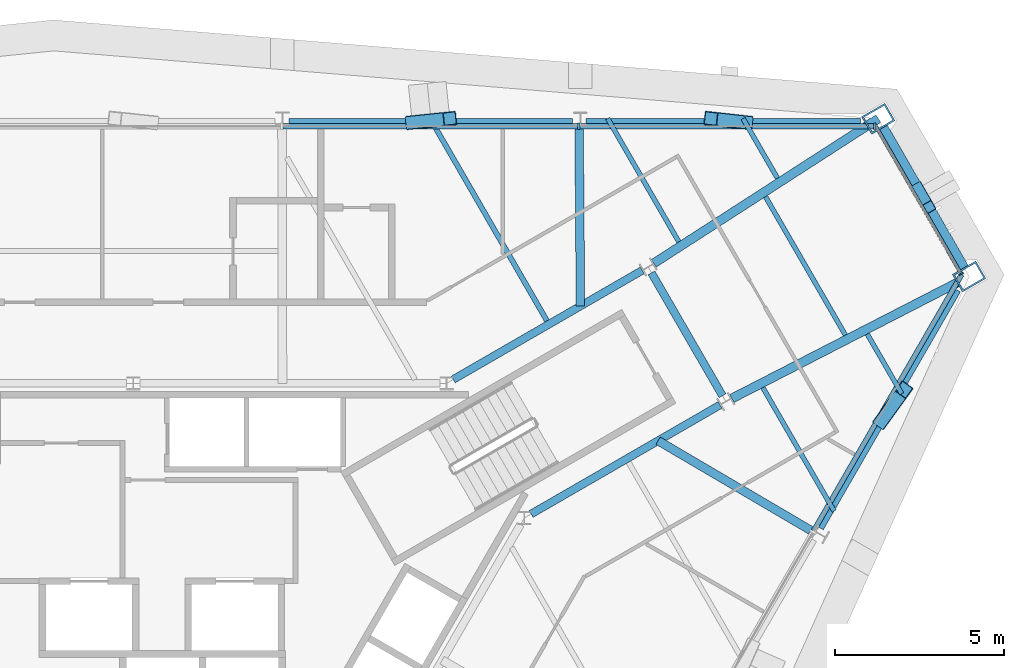
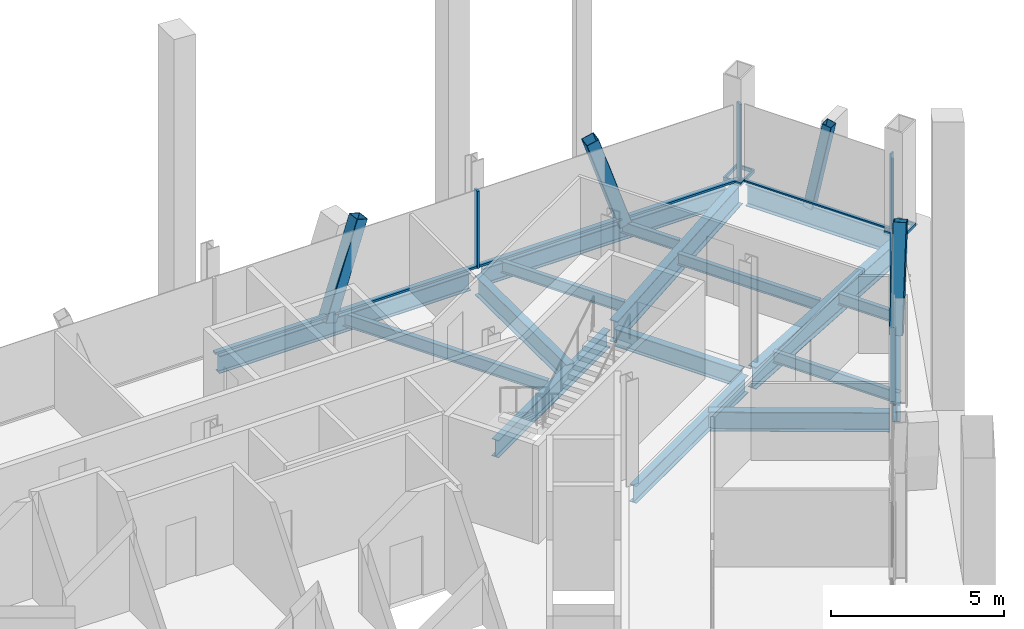
# One storey, part 7 of 14: 17 beams, 13 members, 3 elements without a shape of their own.
"""IFC4 building model written with IfcOpenShell, lengths in metres."""

from ifc_helpers import new_model, si_unit, direction, frame, origin, origin_2d, place, context, subcontext, project, spatial, rectangle, hollow_rectangle, i_section, extrude, material, material_profile, profile_set, type_object, element, aggregate, save


model = new_model("IFC4")

# Units and contexts
model_context = context("Model", 3, precision=1e-05, world=origin(), true_north=direction((0.0, 1.0)))
body_context = subcontext(model_context, "Body", "Model", "MODEL_VIEW")
ifc_project = project(units=[si_unit("LENGTHUNIT", "METRE"), si_unit("AREAUNIT", "SQUARE_METRE"), si_unit("VOLUMEUNIT", "CUBIC_METRE"), si_unit("PLANEANGLEUNIT", "RADIAN"), si_unit("MASSUNIT", "GRAM", prefix="KILO")], contexts=[model_context])

# Site, building, storey
site_placement = place(None, origin())
site = spatial("IfcSite", under=ifc_project, at=site_placement, CompositionType="ELEMENT")
building_placement = place(site_placement, origin())
building = spatial("IfcBuilding", under=site, at=building_placement, Name="Verrane Prism Tower", CompositionType="ELEMENT")
storey_placement = place(building_placement, frame((0.0, 0.0, 217.5)))
storey = spatial("IfcBuildingStorey", under=building, at=storey_placement, Name="L54", CompositionType="ELEMENT", Elevation=217.5)

# Member
ifc_material_1 = material(Name="Steel A500 Grade C", Category="steel")
ifc_material_profile_1 = material_profile(ifc_material_1, hollow_rectangle(XDim=0.3046875, YDim=0.3046875, WallThickness=0.0126953125, InnerFilletRadius=0.00634765625, OuterFilletRadius=0.01904296875, at=origin_2d()), Name="HSS12x12x1/2")
ifc_profile_set_1 = profile_set([ifc_material_profile_1], Name="Steel A500 Grade C")
member_type_1 = type_object("IfcMemberType", Name="Chamfer brace HSS12x12x1/2", PredefinedType="BRACE", material=ifc_profile_set_1)
member_1_placement = place(storey_placement, frame((23.213623046875, 13.775146484375, -0.24267578125), z_axis=(0.101664317764, -0.176489870854, 0.979038146335), x_axis=(0.866518541791, 0.499144885511, 0.0)))
element("IfcMember", 1, at=member_1_placement, inside=storey, type_object=member_type_1, Name="Chamfer brace NE0 L54", PredefinedType="BRACE", context=body_context, shape_type="SweptSolid", body=[
    extrude(hollow_rectangle(XDim=0.3046875, YDim=0.3046875, WallThickness=0.0126953125, InnerFilletRadius=0.00634765625, OuterFilletRadius=0.01904296875, at=origin_2d()), origin(), (0.0, 0.0, 1.0), 3.1748046875),
])

# Beams
ifc_material_2 = material(Name="Steel A992", Category="steel")
ifc_material_profile_2 = material_profile(ifc_material_2, i_section(OverallWidth=0.2666015625, OverallDepth=0.7568359375, WebThickness=0.013916015625, FlangeThickness=0.019287109375, FilletRadius=0.0166015625, at=origin_2d()), Name="W30x108")
ifc_profile_set_2 = profile_set([ifc_material_profile_2], Name="Steel A992")
beam_type_1 = type_object("IfcBeamType", Name="Chamfer spandrel beam W30x108", PredefinedType="SPANDREL", material=ifc_profile_set_2)
beam_1_placement = place(storey_placement, frame((24.5703125, 11.419921875, -0.53857421875), z_axis=(-0.499144251771, 0.866518906848, 0.0), x_axis=(-0.866518906848, -0.499144251771, 0.0)))
element("IfcBeam", 2, at=beam_1_placement, inside=storey, type_object=beam_type_1, Name="Chamfer spandrel beam L54", PredefinedType="SPANDREL", context=body_context, shape_type="SweptSolid", body=[
    extrude(i_section(OverallWidth=0.2666015625, OverallDepth=0.7568359375, WebThickness=0.013916015625, FlangeThickness=0.019287109375, FilletRadius=0.0166015625, at=origin_2d()), origin(), (0.0, 0.0, 1.0), 4.78955078125),
])
ifc_material_3 = material(Name="Steel A992", Category="steel")
ifc_material_profile_3 = material_profile(ifc_material_3, i_section(OverallWidth=0.23046875, OverallDepth=0.6171875, WebThickness=0.01318359375, FlangeThickness=0.022216796875, FilletRadius=0.012939453125, at=origin_2d()), Name="W24x94")
ifc_profile_set_3 = profile_set([ifc_material_profile_3], Name="Steel A992")
beam_type_2 = type_object("IfcBeamType", Name="Core ring girder W24x94", PredefinedType="BEAM", material=ifc_profile_set_3)
beam_2_placement = place(storey_placement, frame((11.759521484375, 4.135009765625, -0.55859375), z_axis=(0.866080992722, 0.499903704773, 0.0), x_axis=(-0.499903704773, 0.866080992722, 0.0)))
element("IfcBeam", 3, at=beam_2_placement, inside=storey, type_object=beam_type_2, Name="Core ring girder L54", PredefinedType="BEAM", context=body_context, shape_type="SweptSolid", body=[
    extrude(i_section(OverallWidth=0.23046875, OverallDepth=0.6171875, WebThickness=0.01318359375, FlangeThickness=0.022216796875, FilletRadius=0.012939453125, at=origin_2d()), origin(), (0.0, 0.0, 1.0), 6.451904296875),
])
beam_3_placement = place(storey_placement, frame((17.419677734375, 7.6337890625, -0.55859375), z_axis=(-0.500375511519, 0.865808493532, 0.0), x_axis=(-0.865808493532, -0.500375511519, 0.0)))
element("IfcBeam", 4, at=beam_3_placement, inside=storey, type_object=beam_type_2, Name="Core ring girder L54", PredefinedType="BEAM", context=body_context, shape_type="SweptSolid", body=[
    extrude(i_section(OverallWidth=0.23046875, OverallDepth=0.6171875, WebThickness=0.01318359375, FlangeThickness=0.022216796875, FilletRadius=0.012939453125, at=origin_2d()), origin(), (0.0, 0.0, 1.0), 4.195556640625),
])
beam_4_placement = place(storey_placement, frame((15.04736328125, 11.34033203125, -0.55859375), z_axis=(-0.866080992722, -0.499903704773, 0.0), x_axis=(0.499903704773, -0.866080992722, 0.0)))
element("IfcBeam", 5, at=beam_4_placement, inside=storey, type_object=beam_type_2, Name="Core ring girder L54", PredefinedType="BEAM", context=body_context, shape_type="SweptSolid", body=[
    extrude(i_section(OverallWidth=0.23046875, OverallDepth=0.6171875, WebThickness=0.01318359375, FlangeThickness=0.022216796875, FilletRadius=0.012939453125, at=origin_2d()), origin(), (0.0, 0.0, 1.0), 6.451904296875),
])
ifc_material_4 = material(Name="Steel A992", Category="steel")
ifc_material_profile_4 = material_profile(ifc_material_4, i_section(OverallWidth=0.2666015625, OverallDepth=0.76708984375, WebThickness=0.014892578125, FlangeThickness=0.023681640625, FilletRadius=0.0166015625, at=origin_2d()), Name="W30x124")
ifc_profile_set_4 = profile_set([ifc_material_profile_4], Name="Steel A992")
beam_type_3 = type_object("IfcBeamType", Name="Corner girder W30x124", PredefinedType="BEAM", material=ifc_profile_set_4)
beam_5_placement = place(storey_placement, frame((24.36376953125, 10.97705078125, -0.603515625), z_axis=(-0.889427813273, -0.457075666576, 0.0), x_axis=(0.457075666576, -0.889427813273, 0.0)))
element("IfcBeam", 6, at=beam_5_placement, inside=storey, type_object=beam_type_3, Name="Corner girder L54", PredefinedType="BEAM", context=body_context, shape_type="SweptSolid", body=[
    extrude(i_section(OverallWidth=0.2666015625, OverallDepth=0.76708984375, WebThickness=0.014892578125, FlangeThickness=0.023681640625, FilletRadius=0.0166015625, at=origin_2d()), origin(), (0.0, 0.0, 1.0), 7.4951171875),
])
beam_6_placement = place(storey_placement, frame((22.02880859375, 15.8291015625, -0.603515625), z_axis=(-0.840503183153, -0.541806606742, 0.0), x_axis=(0.541806606742, -0.840503183153, 0.0)))
element("IfcBeam", 7, at=beam_6_placement, inside=storey, type_object=beam_type_3, Name="Corner girder L54", PredefinedType="BEAM", context=body_context, shape_type="SweptSolid", body=[
    extrude(i_section(OverallWidth=0.2666015625, OverallDepth=0.76708984375, WebThickness=0.014892578125, FlangeThickness=0.023681640625, FilletRadius=0.0166015625, at=origin_2d()), origin(), (0.0, 0.0, 1.0), 7.9013671875),
])

# Members
ifc_material_5 = material(Name="Steel A500 Grade C", Category="steel")
ifc_material_profile_5 = material_profile(ifc_material_5, hollow_rectangle(XDim=0.406494140625, YDim=0.406494140625, WallThickness=0.01904296875, InnerFilletRadius=0.009521484375, OuterFilletRadius=0.028564453125, at=origin_2d()), Name="HSS16x16x3/4")
ifc_profile_set_5 = profile_set([ifc_material_profile_5], Name="Steel A500 Grade C")
member_type_2 = type_object("IfcMemberType", Name="Facade brace HSS16x16x3/4", PredefinedType="BRACE", material=ifc_profile_set_5)
member_2_placement = place(storey_placement, frame((18.1162109375, 15.714599609375, -0.216796875), z_axis=(-0.308844673796, 0.034340275201, 0.950492352924), x_axis=(-0.110508453714, -0.993875184144, 0.0)))
element("IfcMember", 8, at=member_2_placement, inside=storey, type_object=member_type_2, Name="Facade brace N0 L54", PredefinedType="BRACE", context=body_context, shape_type="SweptSolid", body=[
    extrude(hollow_rectangle(XDim=0.406494140625, YDim=0.406494140625, WallThickness=0.01904296875, InnerFilletRadius=0.009521484375, OuterFilletRadius=0.028564453125, at=origin_2d()), origin(), (0.0, 0.0, 1.0), 3.36279296875),
])
member_3_placement = place(storey_placement, frame((8.2470703125, 15.714599609375, -0.216796875), z_axis=(0.32776717298, 0.034110863107, 0.944142536556), x_axis=(-0.103511368966, 0.994628270509, 0.0)))
element("IfcMember", 9, at=member_3_placement, inside=storey, type_object=member_type_2, Name="Facade brace N1 L54", PredefinedType="BRACE", context=body_context, shape_type="SweptSolid", body=[
    extrude(hollow_rectangle(XDim=0.406494140625, YDim=0.406494140625, WallThickness=0.01904296875, InnerFilletRadius=0.009521484375, OuterFilletRadius=0.028564453125, at=origin_2d()), origin(), (0.0, 0.0, 1.0), 3.385498046875),
])
member_4_placement = place(storey_placement, frame((22.124267578125, 6.890380859375, -0.216796875), z_axis=(0.19616850843, 0.271872569644, 0.94212696712), x_axis=(-0.810939512146, 0.585129992088, 0.0)))
element("IfcMember", 10, at=member_4_placement, inside=storey, type_object=member_type_2, Name="Facade brace SE4 L54", PredefinedType="BRACE", context=body_context, shape_type="SweptSolid", body=[
    extrude(hollow_rectangle(XDim=0.406494140625, YDim=0.406494140625, WallThickness=0.01904296875, InnerFilletRadius=0.009521484375, OuterFilletRadius=0.028564453125, at=origin_2d()), origin(), (0.0, 0.0, 1.0), 3.392578125),
])

# Beams
ifc_material_6 = material(Name="Steel A992", Category="steel")
ifc_material_profile_6 = material_profile(ifc_material_6, i_section(OverallWidth=0.140380859375, OverallDepth=0.40380859375, WebThickness=0.007080078125, FlangeThickness=0.01123046875, FilletRadius=0.01025390625, at=origin_2d()), Name="W16x31")
ifc_profile_set_6 = profile_set([ifc_material_profile_6], Name="Steel A992")
beam_type_4 = type_object("IfcBeamType", Name="Floor beam W16x31", PredefinedType="BEAM", material=ifc_profile_set_6)
beam_7_placement = place(storey_placement, frame((19.0458984375, 14.065185546875, -0.36181640625), z_axis=(-0.499940238163, 0.866059904548, 0.0), x_axis=(-0.866059904548, -0.499940238163, 0.0)))
element("IfcBeam", 11, at=beam_7_placement, inside=storey, type_object=beam_type_4, Name="Floor beam L54", PredefinedType="BEAM", context=body_context, shape_type="SweptSolid", body=[
    extrude(i_section(OverallWidth=0.140380859375, OverallDepth=0.40380859375, WebThickness=0.007080078125, FlangeThickness=0.01123046875, FilletRadius=0.01025390625, at=origin_2d()), origin(), (0.0, 0.0, 1.0), 2.037841796875),
])
beam_8_placement = place(storey_placement, frame((16.12890625, 12.184814453125, -0.36181640625), z_axis=(-0.499981865284, 0.866035873614, 0.0), x_axis=(-0.866035873614, -0.499981865284, 0.0)))
element("IfcBeam", 12, at=beam_8_placement, inside=storey, type_object=beam_type_4, Name="Floor beam L54", PredefinedType="BEAM", context=body_context, shape_type="SweptSolid", body=[
    extrude(i_section(OverallWidth=0.140380859375, OverallDepth=0.40380859375, WebThickness=0.007080078125, FlangeThickness=0.01123046875, FilletRadius=0.01025390625, at=origin_2d()), origin(), (0.0, 0.0, 1.0), 4.209228515625),
])
beam_9_placement = place(storey_placement, frame((22.72021484375, 7.692138671875, -0.36181640625), z_axis=(-0.500040236659, 0.866002171892, 0.0), x_axis=(-0.866002171892, -0.500040236659, 0.0)))
element("IfcBeam", 13, at=beam_9_placement, inside=storey, type_object=beam_type_4, Name="Floor beam L54", PredefinedType="BEAM", context=body_context, shape_type="SweptSolid", body=[
    extrude(i_section(OverallWidth=0.140380859375, OverallDepth=0.40380859375, WebThickness=0.007080078125, FlangeThickness=0.01123046875, FilletRadius=0.01025390625, at=origin_2d()), origin(), (0.0, 0.0, 1.0), 2.039306640625),
])
beam_10_placement = place(storey_placement, frame((20.720458984375, 4.224365234375, -0.36181640625), z_axis=(-0.500010096862, 0.86601957428, 0.0), x_axis=(-0.86601957428, -0.500010096862, 0.0)))
element("IfcBeam", 14, at=beam_10_placement, inside=storey, type_object=beam_type_4, Name="Floor beam L54", PredefinedType="BEAM", context=body_context, shape_type="SweptSolid", body=[
    extrude(i_section(OverallWidth=0.140380859375, OverallDepth=0.40380859375, WebThickness=0.007080078125, FlangeThickness=0.01123046875, FilletRadius=0.01025390625, at=origin_2d()), origin(), (0.0, 0.0, 1.0), 4.21240234375),
])
beam_11_placement = place(storey_placement, frame((21.0546875, 9.426513671875, -0.36181640625), z_axis=(-0.499972881236, 0.866041060244, 0.0), x_axis=(-0.866041060244, -0.499972881236, 0.0)))
element("IfcBeam", 15, at=beam_11_placement, inside=storey, type_object=beam_type_4, Name="Floor beam L54", PredefinedType="BEAM", context=body_context, shape_type="SweptSolid", body=[
    extrude(i_section(OverallWidth=0.140380859375, OverallDepth=0.40380859375, WebThickness=0.007080078125, FlangeThickness=0.01123046875, FilletRadius=0.01025390625, at=origin_2d()), origin(), (0.0, 0.0, 1.0), 4.725830078125),
])
ifc_material_7 = material(Name="Steel A992", Category="steel")
ifc_material_profile_7 = material_profile(ifc_material_7, i_section(OverallWidth=0.15234375, OverallDepth=0.449462890625, WebThickness=0.007568359375, FlangeThickness=0.0107421875, FilletRadius=0.01025390625, at=origin_2d()), Name="W18x35")
ifc_profile_set_7 = profile_set([ifc_material_profile_7], Name="Steel A992")
beam_type_5 = type_object("IfcBeamType", Name="Floor beam W18x35", PredefinedType="BEAM", material=ifc_profile_set_7)
beam_12_placement = place(storey_placement, frame((12.22900390625, 9.849853515625, -0.384765625), z_axis=(-0.499994833418, 0.866028386691, 0.0), x_axis=(-0.866028386691, -0.499994833418, 0.0)))
element("IfcBeam", 16, at=beam_12_placement, inside=storey, type_object=beam_type_5, Name="Floor beam L54", PredefinedType="BEAM", context=body_context, shape_type="SweptSolid", body=[
    extrude(i_section(OverallWidth=0.15234375, OverallDepth=0.449462890625, WebThickness=0.007568359375, FlangeThickness=0.0107421875, FilletRadius=0.01025390625, at=origin_2d()), origin(), (0.0, 0.0, 1.0), 6.9052734375),
])

# Members
ifc_material_8 = material(Name="Steel A572 Grade 50", Category="steel")
ifc_material_profile_8 = material_profile(ifc_material_8, hollow_rectangle(XDim=0.60009765625, YDim=0.800048828125, WallThickness=0.050048828125, at=origin_2d()), Name="BOX 800x600x50")
ifc_profile_set_8 = profile_set([ifc_material_profile_8], Name="Steel A572 Grade 50")
member_type_3 = type_object("IfcMemberType", Name="Kink node BOX 800x600x50", PredefinedType="COLLAR", material=ifc_profile_set_8)
for number, where, z_axis, x_axis, name in (
    (17, (24.712890625, 11.159912109375, -0.06494140625), (0.0, 0.0, 1.0), (0.5, -0.866025403784, 0.0), "Kink node MC4 L54"),
    (18, (22.0263671875, 15.823974609375, -0.06494140625), (0.0, 0.0, 1.0), (0.5, -0.866025403784, 0.0), "Kink node MC4 L54"),
):
    element("IfcMember", number, at=place(storey_placement, frame(where, z_axis=z_axis, x_axis=x_axis)), inside=storey, type_object=member_type_3, Name=name, PredefinedType="COLLAR", context=body_context, shape_type="SweptSolid", body=[
        extrude(hollow_rectangle(XDim=0.60009765625, YDim=0.800048828125, WallThickness=0.050048828125, at=origin_2d()), origin(), (0.0, 0.0, 1.0), 0.1298828125),
    ])

# Curtain wall, member
ifc_material_9 = material(Name="Aluminium framed insulated glazing", Category="aluminium")
curtain_wall_type_1 = type_object("IfcCurtainWallType", Name="Curtain wall CW-C 4200 module", PredefinedType="NOTDEFINED", material=ifc_material_9)
curtain_wall_1_placement = place(storey_placement, origin())
curtain_wall_1 = element("IfcCurtainWall", 19, at=curtain_wall_1_placement, inside=storey, type_object=curtain_wall_type_1, Name="Glazed curtain wall north-east corner L54", PredefinedType="NOTDEFINED")
ifc_material_10 = material(Name="Aluminium alloy 6063-T6", Category="aluminium")
ifc_material_profile_9 = material_profile(ifc_material_10, rectangle(XDim=0.139892578125, YDim=0.050048828125, at=origin_2d()), Name="Mullion 50x140 aluminium")
ifc_profile_set_9 = profile_set([ifc_material_profile_9], Name="Aluminium alloy 6063-T6")
member_type_4 = type_object("IfcMemberType", Name="Mullion 50x140 aluminium", PredefinedType="MULLION", material=ifc_profile_set_9)
member_5_placement = place(storey_placement, frame((24.476806640625, 11.234619140625, 0.0), z_axis=(0.0, 0.0, 1.0), x_axis=(-0.866028188915, -0.499995175981, 0.0)))
member_5 = element("IfcMember", 20, at=member_5_placement, type_object=member_type_4, Name="CW54.1 mullion 1", PredefinedType="MULLION", context=body_context, shape_type="SweptSolid", body=[
    extrude(rectangle(XDim=0.139892578125, YDim=0.050048828125, at=origin_2d()), origin(), (0.0, 0.0, 1.0), 2.712890625),
])

# Curtain wall, members
ifc_material_11 = material(Name="Aluminium framed insulated glazing", Category="aluminium")
curtain_wall_type_2 = type_object("IfcCurtainWallType", Name="Curtain wall CW-A 8400 module", PredefinedType="NOTDEFINED", material=ifc_material_11)
curtain_wall_2_placement = place(storey_placement, origin())
curtain_wall_2 = element("IfcCurtainWall", 21, at=curtain_wall_2_placement, inside=storey, type_object=curtain_wall_type_2, Name="Glazed curtain wall north face L54", PredefinedType="NOTDEFINED")
ifc_material_12 = material(Name="Aluminium alloy 6063-T6", Category="aluminium")
ifc_material_profile_10 = material_profile(ifc_material_12, rectangle(XDim=0.199951171875, YDim=0.070068359375, at=origin_2d()), Name="Mullion 70x200 aluminium")
ifc_profile_set_10 = profile_set([ifc_material_profile_10], Name="Aluminium alloy 6063-T6")
member_type_5 = type_object("IfcMemberType", Name="Mullion 70x200 aluminium", PredefinedType="MULLION", material=ifc_profile_set_10)
member_6_placement = place(storey_placement, frame((21.92041015625, 15.601806640625, 0.0), z_axis=(0.0, 0.0, 1.0), x_axis=(0.0, -1.0, 0.0)))
member_6 = element("IfcMember", 22, at=member_6_placement, type_object=member_type_5, Name="CW54.2 mullion 1", PredefinedType="MULLION", context=body_context, shape_type="SweptSolid", body=[
    extrude(rectangle(XDim=0.199951171875, YDim=0.070068359375, at=origin_2d()), origin(), (0.0, 0.0, 1.0), 2.712890625),
])
member_7_placement = place(storey_placement, frame((13.173095703125, 15.601806640625, 0.0), z_axis=(0.0, 0.0, 1.0), x_axis=(0.0, -1.0, 0.0)))
member_7 = element("IfcMember", 23, at=member_7_placement, type_object=member_type_5, Name="CW54.2 mullion 2", PredefinedType="MULLION", context=body_context, shape_type="SweptSolid", body=[
    extrude(rectangle(XDim=0.199951171875, YDim=0.070068359375, at=origin_2d()), origin(), (0.0, 0.0, 1.0), 2.712890625),
])

# Beams
ifc_material_13 = material(Name="Steel A992", Category="steel")
ifc_material_profile_11 = material_profile(ifc_material_13, i_section(OverallWidth=0.25390625, OverallDepth=0.683349609375, WebThickness=0.012451171875, FlangeThickness=0.01904296875, FilletRadius=0.01513671875, at=origin_2d()), Name="W27x94")
ifc_profile_set_11 = profile_set([ifc_material_profile_11], Name="Steel A992")
beam_type_6 = type_object("IfcBeamType", Name="Radial girder W27x94", PredefinedType="BEAM", material=ifc_profile_set_11)
beam_13_placement = place(storey_placement, frame((13.180419921875, 15.51513671875, -0.5615234375), z_axis=(0.007562808919, -0.999971401552, 0.0), x_axis=(0.999971401552, 0.007562808919, 0.0)))
element("IfcBeam", 24, at=beam_13_placement, inside=storey, type_object=beam_type_6, Name="Radial girder L54", PredefinedType="BEAM", context=body_context, shape_type="SweptSolid", body=[
    extrude(i_section(OverallWidth=0.25390625, OverallDepth=0.683349609375, WebThickness=0.012451171875, FlangeThickness=0.01904296875, FilletRadius=0.01513671875, at=origin_2d()), origin(), (0.0, 0.0, 1.0), 5.229736328125),
])
beam_14_placement = place(storey_placement, frame((20.027587890625, 3.654052734375, -0.5615234375), z_axis=(-0.862301062131, 0.506395969817, 0.0), x_axis=(-0.506395969817, -0.862301062131, 0.0)))
element("IfcBeam", 25, at=beam_14_placement, inside=storey, type_object=beam_type_6, Name="Radial girder L54", PredefinedType="BEAM", context=body_context, shape_type="SweptSolid", body=[
    extrude(i_section(OverallWidth=0.25390625, OverallDepth=0.683349609375, WebThickness=0.012451171875, FlangeThickness=0.01904296875, FilletRadius=0.01513671875, at=origin_2d()), origin(), (0.0, 0.0, 1.0), 5.23193359375),
])
ifc_material_14 = material(Name="Steel A992", Category="steel")
ifc_material_profile_12 = material_profile(ifc_material_14, i_section(OverallWidth=0.23046875, OverallDepth=0.6171875, WebThickness=0.01318359375, FlangeThickness=0.022216796875, FilletRadius=0.012939453125, at=origin_2d()), Name="W24x94")
ifc_profile_set_12 = profile_set([ifc_material_profile_12], Name="Steel A992")
beam_type_7 = type_object("IfcBeamType", Name="Spandrel beam W24x94", PredefinedType="SPANDREL", material=ifc_profile_set_12)
beam_15_placement = place(storey_placement, frame((21.50048828125, 15.714599609375, -0.468505859375), z_axis=(-1.0, 0.0, 0.0), x_axis=(0.0, -1.0, 0.0)))
element("IfcBeam", 26, at=beam_15_placement, inside=storey, type_object=beam_type_7, Name="Spandrel beam L54", PredefinedType="SPANDREL", context=body_context, shape_type="SweptSolid", body=[
    extrude(i_section(OverallWidth=0.23046875, OverallDepth=0.6171875, WebThickness=0.01318359375, FlangeThickness=0.022216796875, FilletRadius=0.012939453125, at=origin_2d()), origin(), (0.0, 0.0, 1.0), 8.12109375),
])
beam_16_placement = place(storey_placement, frame((12.97802734375, 15.714599609375, -0.468505859375), z_axis=(-1.0, 0.0, 0.0), x_axis=(0.0, -1.0, 0.0)))
element("IfcBeam", 27, at=beam_16_placement, inside=storey, type_object=beam_type_7, Name="Spandrel beam L54", PredefinedType="SPANDREL", context=body_context, shape_type="SweptSolid", body=[
    extrude(i_section(OverallWidth=0.23046875, OverallDepth=0.6171875, WebThickness=0.01318359375, FlangeThickness=0.022216796875, FilletRadius=0.012939453125, at=origin_2d()), origin(), (0.0, 0.0, 1.0), 8.38232421875),
])
beam_17_placement = place(storey_placement, frame((20.2998046875, 3.726806640625, -0.468505859375), z_axis=(0.499577529321, 0.866269179988, 0.0), x_axis=(-0.866269179988, 0.499577529321, 0.0)))
element("IfcBeam", 28, at=beam_17_placement, inside=storey, type_object=beam_type_7, Name="Spandrel beam L54", PredefinedType="SPANDREL", context=body_context, shape_type="SweptSolid", body=[
    extrude(i_section(OverallWidth=0.23046875, OverallDepth=0.6171875, WebThickness=0.01318359375, FlangeThickness=0.022216796875, FilletRadius=0.012939453125, at=origin_2d()), origin(), (0.0, 0.0, 1.0), 8.11865234375),
])

# Member
ifc_material_15 = material(Name="Aluminium alloy 6063-T6", Category="aluminium")
ifc_material_profile_13 = material_profile(ifc_material_15, rectangle(XDim=0.10009765625, YDim=0.050048828125, at=origin_2d()), Name="Transom 50x100 aluminium")
ifc_profile_set_13 = profile_set([ifc_material_profile_13], Name="Aluminium alloy 6063-T6")
member_type_6 = type_object("IfcMemberType", Name="Transom 50x100 aluminium", PredefinedType="USERDEFINED", material=ifc_profile_set_13)
member_8_placement = place(storey_placement, frame((24.464111328125, 11.256103515625, 0.02490234375), z_axis=(-0.499969537666, 0.866042990507, 0.0), x_axis=(-0.866042990507, -0.499969537666, 0.0)))
member_8 = element("IfcMember", 29, at=member_8_placement, type_object=member_type_6, Name="CW54.1 transom 1", ObjectType="TRANSOM", PredefinedType="USERDEFINED", context=body_context, shape_type="SweptSolid", body=[
    extrude(rectangle(XDim=0.10009765625, YDim=0.050048828125, at=origin_2d()), origin(), (0.0, 0.0, 1.0), 5.017822265625),
])

aggregate(curtain_wall_1, [member_5, member_8])

ifc_material_16 = material(Name="Aluminium alloy 6063-T6", Category="aluminium")
ifc_material_profile_14 = material_profile(ifc_material_16, rectangle(XDim=0.14990234375, YDim=0.070068359375, at=origin_2d()), Name="Transom 70x150 aluminium")
ifc_profile_set_14 = profile_set([ifc_material_profile_14], Name="Aluminium alloy 6063-T6")
member_type_7 = type_object("IfcMemberType", Name="Transom 70x150 aluminium", PredefinedType="USERDEFINED", material=ifc_profile_set_14)
member_9_placement = place(storey_placement, frame((21.88525390625, 15.601806640625, 0.034912109375), z_axis=(-1.0, 0.0, 0.0), x_axis=(0.0, -1.0, 0.0)))
member_9 = element("IfcMember", 30, at=member_9_placement, type_object=member_type_7, Name="CW54.2 transom 1", ObjectType="TRANSOM", PredefinedType="USERDEFINED", context=body_context, shape_type="SweptSolid", body=[
    extrude(rectangle(XDim=0.14990234375, YDim=0.070068359375, at=origin_2d()), origin(), (0.0, 0.0, 1.0), 8.677001953125),
])

member_10_placement = place(storey_placement, frame((13.13818359375, 15.601806640625, 0.034912109375), z_axis=(-1.0, 0.0, 0.0), x_axis=(0.0, -1.0, 0.0)))
member_10 = element("IfcMember", 31, at=member_10_placement, type_object=member_type_7, Name="CW54.2 transom 2", ObjectType="TRANSOM", PredefinedType="USERDEFINED", context=body_context, shape_type="SweptSolid", body=[
    extrude(rectangle(XDim=0.14990234375, YDim=0.070068359375, at=origin_2d()), origin(), (0.0, 0.0, 1.0), 8.712158203125),
])

aggregate(curtain_wall_2, [member_6, member_7, member_9, member_10])

# Curtain wall, member
curtain_wall_3_placement = place(storey_placement, origin())
curtain_wall_3 = element("IfcCurtainWall", 32, at=curtain_wall_3_placement, inside=storey, type_object=curtain_wall_type_2, Name="Glazed curtain wall south-east face L54", PredefinedType="NOTDEFINED")
member_11_placement = place(storey_placement, frame((20.11572265625, 3.6376953125, 0.034912109375), z_axis=(0.499999494409, 0.866025695687, 0.0), x_axis=(-0.866025695687, 0.499999494409, 0.0)))
member_11 = element("IfcMember", 33, at=member_11_placement, type_object=member_type_7, Name="CW54.6 transom 5", ObjectType="TRANSOM", PredefinedType="USERDEFINED", context=body_context, shape_type="SweptSolid", body=[
    extrude(rectangle(XDim=0.14990234375, YDim=0.070068359375, at=origin_2d()), origin(), (0.0, 0.0, 1.0), 8.7470703125),
])
aggregate(curtain_wall_3, [member_11])

save(model, "model.ifc")
